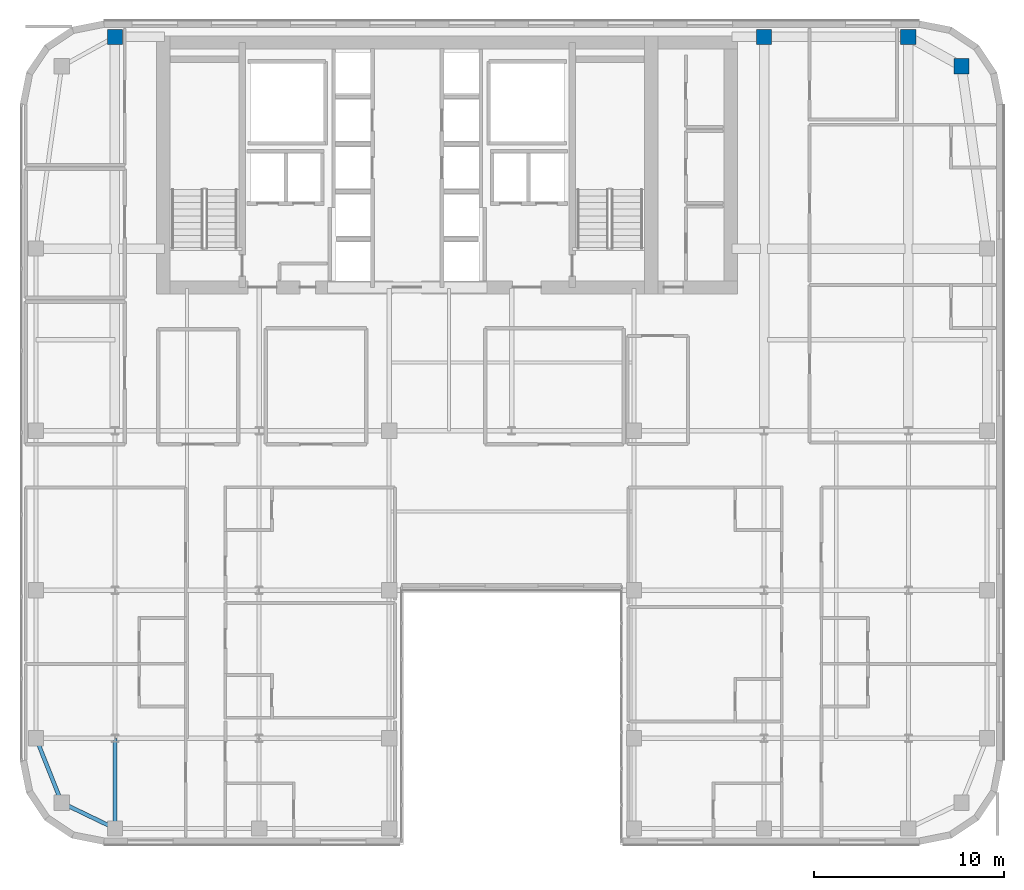
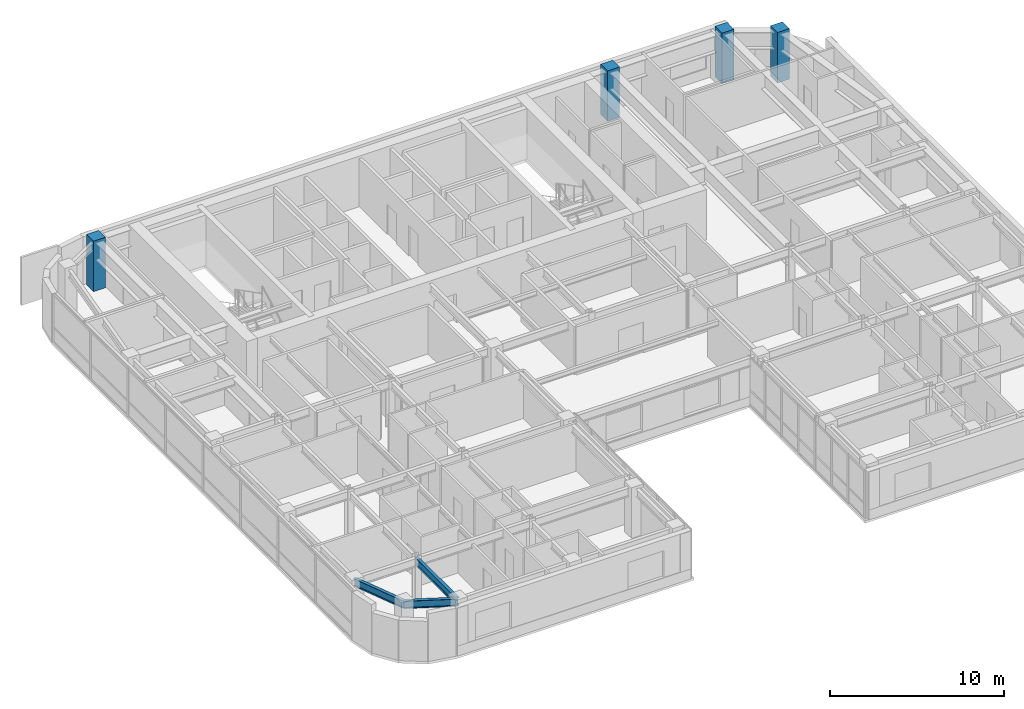
# One storey, part 2 of 28: 4 columns, 3 beams.
"""IFC4 building model written with IfcOpenShell, lengths in metres."""

import ifcopenshell
import ifcopenshell.guid

model = None  # the IFC model being written
_history = None  # IfcOwnerHistory: only IFC2X3 demands one
_inside = {}  # id of a spatial element -> (the spatial element, [elements in it])
_under = {}  # id of a project, library or spatial element -> (it, [spatial elements below it])
_declared = {}  # id of a project -> (the project, [libraries it declares])
_typed = {}  # id of a type object -> (the type object, [elements of that type])
_made_of = {}  # id of a material, layer set ... -> (it, [elements and type objects made of it])


def new_model(schema):
    """Start an empty IFC model of exactly this schema.

    Asked for "IFC4X3", IfcOpenShell would pick the latest addendum, in which some entities
    have other attributes; the version numbers below select the first issue.
    IFC2X3 requires an IfcOwnerHistory on every rooted entity: one is made here for all.
    """
    global model, _history
    if schema == "IFC4X3":
        model = ifcopenshell.file(schema_version=(4, 3, 0, 0))
    else:
        model = ifcopenshell.file(schema=schema)
    _inside.clear()
    _under.clear()
    _declared.clear()
    _typed.clear()
    _made_of.clear()
    _history = None
    if model.schema == "IFC2X3":
        org = make("IfcOrganization", Name="unknown")
        user = make(
            "IfcPersonAndOrganization",
            ThePerson=make("IfcPerson", FamilyName="unknown"),
            TheOrganization=org,
        )
        app = make(
            "IfcApplication",
            ApplicationDeveloper=org,
            Version="unknown",
            ApplicationFullName="unknown",
            ApplicationIdentifier="unknown",
        )
        _history = make(
            "IfcOwnerHistory",
            OwningUser=user,
            OwningApplication=app,
            ChangeAction="ADDED",
            CreationDate=0,
        )
    return model


def make(cls, **values):
    """One entity of the class cls with the attributes given. An attribute that is None is left unset."""
    return model.create_entity(
        cls, **{name: value for name, value in values.items() if value is not None}
    )


def rooted(cls, **values):
    """An entity with a GlobalId (a new one), such as an element, a storey or a relation."""
    return make(cls, GlobalId=ifcopenshell.guid.new(), OwnerHistory=_history, **values)


def si_unit(unit_type, name, prefix=None):
    """IfcSIUnit, for example si_unit("LENGTHUNIT", "METRE", prefix="MILLI")."""
    return make("IfcSIUnit", UnitType=unit_type, Prefix=prefix, Name=name)


def assignment(units):
    """IfcUnitAssignment: the units of a project."""
    return None if units is None else make("IfcUnitAssignment", Units=units)


def point(xyz):
    """IfcCartesianPoint."""
    return None if xyz is None else make("IfcCartesianPoint", Coordinates=xyz)


def direction(xyz):
    """IfcDirection."""
    return None if xyz is None else make("IfcDirection", DirectionRatios=xyz)


def frame(location, z_axis=None, x_axis=None):
    """IfcAxis2Placement3D, a coordinate frame: its origin and axes. An axis left out is left unset."""
    return make(
        "IfcAxis2Placement3D",
        Location=point(location),
        Axis=direction(z_axis),
        RefDirection=direction(x_axis),
    )


def frame_2d(location, x_axis=None):
    """IfcAxis2Placement2D, a coordinate frame in the plane: its origin and x axis."""
    return make(
        "IfcAxis2Placement2D", Location=point(location), RefDirection=direction(x_axis)
    )


def origin():
    """The frame at (0, 0, 0) with its axes left unset."""
    return frame((0.0, 0.0, 0.0))


def origin_2d():
    """The frame at (0, 0) in the plane with its x axis left unset."""
    return frame_2d((0.0, 0.0))


def place(relative_to, where):
    """IfcLocalPlacement: puts the frame where relative to a parent placement (None: the world)."""
    return make(
        "IfcLocalPlacement", PlacementRelTo=relative_to, RelativePlacement=where
    )


def context(
    kind, dimensions, precision=None, world=None, true_north=None, identifier=None
):
    """IfcGeometricRepresentationContext, for example the 3D "Model" context."""
    return make(
        "IfcGeometricRepresentationContext",
        ContextIdentifier=identifier,
        ContextType=kind,
        CoordinateSpaceDimension=dimensions,
        Precision=precision,
        WorldCoordinateSystem=world,
        TrueNorth=true_north,
    )


def subcontext(parent, identifier, kind, view, scale=None):
    """IfcGeometricRepresentationSubContext, for example "Body" below "Model"."""
    return make(
        "IfcGeometricRepresentationSubContext",
        ContextIdentifier=identifier,
        ContextType=kind,
        ParentContext=parent,
        TargetScale=scale,
        TargetView=view,
    )


def project(units=None, contexts=None):
    """IfcProject with its units and contexts."""
    return rooted(
        "IfcProject",
        Name="project",
        RepresentationContexts=contexts,
        UnitsInContext=assignment(units),
    )


def spatial(cls, under=None, at=None, **own):
    """A site, building, storey or space (cls), placed at a placement, below another one or the project."""
    s = rooted(cls, ObjectPlacement=at, **own)
    if under is not None:
        _under.setdefault(under.id(), (under, []))[1].append(s)
    return s


def profile(cls, at=None, kind="AREA", **sizes):
    """A parametric profile (cls). Its sizes go by their IFC names, for example OverallWidth=200.0."""
    return make(cls, ProfileType=kind, Position=at, **sizes)


def rectangle(**sizes):
    """IfcRectangleProfileDef."""
    return profile("IfcRectangleProfileDef", **sizes)


def i_section(**sizes):
    """IfcIShapeProfileDef."""
    return profile("IfcIShapeProfileDef", **sizes)


def extrude(swept, where, along, depth):
    """IfcExtrudedAreaSolid: the profile swept, set in the frame where, extruded along a direction by depth."""
    return make(
        "IfcExtrudedAreaSolid",
        SweptArea=swept,
        Position=where,
        ExtrudedDirection=direction(along),
        Depth=depth,
    )


def shape(context_of_items, identifier, shape_type, items):
    """IfcShapeRepresentation: the items that make up one representation, for example the "Body"."""
    return make(
        "IfcShapeRepresentation",
        ContextOfItems=context_of_items,
        RepresentationIdentifier=identifier,
        RepresentationType=shape_type,
        Items=items,
    )


def source(mapping_origin, context_of_items, identifier, shape_type, items):
    """IfcRepresentationMap: a shape defined once, which mapped items show again and again."""
    return make(
        "IfcRepresentationMap",
        MappingOrigin=mapping_origin,
        MappedRepresentation=shape(context_of_items, identifier, shape_type, items),
    )


def transform(
    local_origin,
    x_axis=None,
    y_axis=None,
    z_axis=None,
    scale=None,
    scale2=None,
    scale3=None,
    uniform=True,
):
    """IfcCartesianTransformationOperator3D, or its non-uniform kind. x_axis, y_axis, z_axis: its Axis1, 2, 3."""
    if uniform:
        return make(
            "IfcCartesianTransformationOperator3D",
            Axis1=direction(x_axis),
            Axis2=direction(y_axis),
            LocalOrigin=point(local_origin),
            Scale=scale,
            Axis3=direction(z_axis),
        )
    return make(
        "IfcCartesianTransformationOperator3DnonUniform",
        Axis1=direction(x_axis),
        Axis2=direction(y_axis),
        LocalOrigin=point(local_origin),
        Scale=scale,
        Axis3=direction(z_axis),
        Scale2=scale2,
        Scale3=scale3,
    )


def mapped(mapping_source, mapping_target):
    """IfcMappedItem: shows the shape of a source again, moved by a transform."""
    return make(
        "IfcMappedItem", MappingSource=mapping_source, MappingTarget=mapping_target
    )


def material(Name=None, Category=None):
    """IfcMaterial."""
    return make("IfcMaterial", Name=Name, Category=Category)


def material_profile(
    of_material, cross_section, Name=None, Category=None, Priority=None
):
    """IfcMaterialProfile: a cross section and its material."""
    return make(
        "IfcMaterialProfile",
        Name=Name,
        Material=of_material,
        Profile=cross_section,
        Priority=Priority,
        Category=Category,
    )


def profile_set(profiles, Name=None, composite=None):
    """IfcMaterialProfileSet."""
    return make(
        "IfcMaterialProfileSet",
        Name=Name,
        MaterialProfiles=profiles,
        CompositeProfile=composite,
    )


def made_of(thing, what):
    """Note that an element or type object is made of a material, layer set ...; save() writes the relation."""
    if what is not None:
        _made_of.setdefault(what.id(), (what, []))[1].append(thing)
    return thing


def type_object(cls, material=None, **own):
    """A type object (cls), such as IfcWallType, which elements share."""
    return made_of(rooted(cls, **own), material)


def type_shapes(of_type, sources):
    """Give a type object the sources (RepresentationMaps) that its elements show as mapped items."""
    of_type.RepresentationMaps = sources


def element(
    cls,
    number,
    at=None,
    inside=None,
    cuts=None,
    type_object=None,
    material=None,
    context=None,
    identifier="Body",
    shape_type=None,
    held_by="IfcProductDefinitionShape",
    body=None,
    shapes=None,
    **own,
):
    """One element of the class cls, such as IfcWall. Its Tag is "e" and its number.

    at: its placement. inside: the storey or other place that contains it. cuts: it is an
    opening in that element (IfcRelVoidsElement). A single representation is given by context,
    identifier, shape_type and body (its items); several are given by shapes. held_by: the class
    of the entity that holds the representations. save() writes the other relations.
    """
    e = rooted(cls, Tag="e%d" % number, ObjectPlacement=at, **own)
    if body is not None:
        shapes = [shape(context, identifier, shape_type, body)]
    if shapes is not None:
        e.Representation = make(held_by, Representations=shapes)
    if inside is not None:
        _inside.setdefault(inside.id(), (inside, []))[1].append(e)
    if cuts is not None:
        rooted(
            "IfcRelVoidsElement", RelatingBuildingElement=cuts, RelatedOpeningElement=e
        )
    if type_object is not None:
        _typed.setdefault(type_object.id(), (type_object, []))[1].append(e)
    return made_of(e, material)


def aggregate(whole, parts):
    """IfcRelAggregates: a whole, such as a stair, and the parts it consists of."""
    return rooted("IfcRelAggregates", RelatingObject=whole, RelatedObjects=parts)


def save(model, path):
    """Write the relations noted so far, then the file.

    IfcRelAggregates (storeys below a building ...), IfcRelContainedInSpatialStructure (elements
    in a storey), IfcRelDefinesByType, IfcRelAssociatesMaterial and IfcRelDeclares: one each for
    every whole, place, type object, material and project.
    """
    for whole, parts in _under.values():
        aggregate(whole, parts)
    for where, things in _inside.values():
        rooted(
            "IfcRelContainedInSpatialStructure",
            RelatedElements=things,
            RelatingStructure=where,
        )
    for kind, things in _typed.values():
        rooted("IfcRelDefinesByType", RelatedObjects=things, RelatingType=kind)
    for what, things in _made_of.values():
        rooted("IfcRelAssociatesMaterial", RelatedObjects=things, RelatingMaterial=what)
    for by, libraries in _declared.values():
        rooted("IfcRelDeclares", RelatingContext=by, RelatedDefinitions=libraries)
    model.write(path)


model = new_model("IFC4")

# Units and contexts
model_context = context("Model", 3, precision=1e-05, world=origin(), true_north=direction((0.0, 1.0)))
body_context = subcontext(model_context, "Body", "Model", "MODEL_VIEW")
ifc_project = project(units=[si_unit("LENGTHUNIT", "METRE"), si_unit("AREAUNIT", "SQUARE_METRE"), si_unit("VOLUMEUNIT", "CUBIC_METRE"), si_unit("PLANEANGLEUNIT", "RADIAN"), si_unit("MASSUNIT", "GRAM", prefix="KILO")], contexts=[model_context])

# Site, building, storey
site_placement = place(None, origin())
site = spatial("IfcSite", under=ifc_project, at=site_placement, CompositionType="ELEMENT")
building_placement = place(site_placement, origin())
building = spatial("IfcBuilding", under=site, at=building_placement, Name="Tolvann Quenvar Hotel", CompositionType="ELEMENT")
storey_placement = place(building_placement, frame((0.0, 0.0, 198.199951171875)))
storey = spatial("IfcBuildingStorey", under=building, at=storey_placement, Name="L52", CompositionType="ELEMENT", Elevation=198.199951171875)

# Columns
ifc_material_1 = material(Name="Concrete N50 (50 MPa)", Category="concrete")
ifc_material_profile_1 = material_profile(ifc_material_1, rectangle(XDim=0.800048828125, YDim=0.800048828125, at=origin_2d()), Name="RC800x800")
ifc_profile_set_1 = profile_set([ifc_material_profile_1], Name="Concrete N50 (50 MPa)")
column_type = type_object("IfcColumnType", Name="COL_RC800", PredefinedType="COLUMN", material=ifc_profile_set_1)
shared_shape_1 = source(origin(), body_context, "Body", "SweptSolid", [
    extrude(rectangle(XDim=0.800048828125, YDim=0.800048828125, at=origin_2d()), origin(), (0.0, 0.0, 1.0), 3.550048828125),
])
type_shapes(column_type, [shared_shape_1])
for number, where, z_axis, x_axis, name in (
    (1, (7.60009765625, 45.14990234375, 0.0), (0.0, 0.0, 1.0), (1.0, 0.0, 0.0), "Column CN (L52)"),
    (2, (41.800048828125, 45.14990234375, 0.0), (0.0, 0.0, 1.0), (1.0, 0.0, 0.0), "Column HN (L52)"),
    (3, (49.39990234375, 45.14990234375, 0.0), (0.0, 0.0, 1.0), (1.0, 0.0, 0.0), "Column IN (L52)"),
    (4, (52.199951171875, 43.60009765625, 0.0), (0.0, 0.0, 1.0), (1.0, 0.0, 0.0), "Column JN (L52)"),
):
    element("IfcColumn", number, at=place(storey_placement, frame(where, z_axis=z_axis, x_axis=x_axis)), inside=storey, type_object=column_type, Name=name, PredefinedType="COLUMN", context=body_context, shape_type="MappedRepresentation", body=[
        mapped(shared_shape_1, transform((0.0, 0.0, 0.0), x_axis=(1.0, 0.0, 0.0), y_axis=(0.0, 1.0, 0.0), z_axis=(0.0, 0.0, 1.0), scale=1.0)),
    ])

# Beams
ifc_material_2 = material(Name="Steel Grade 350", Category="steel")
ifc_material_profile_2 = material_profile(ifc_material_2, i_section(OverallWidth=0.208984375, OverallDepth=0.528076171875, WebThickness=0.009521484375, FlangeThickness=0.01318359375, FilletRadius=0.013916015625, at=origin_2d()), Name="530UB82")
ifc_profile_set_2 = profile_set([ifc_material_profile_2], Name="Steel Grade 350")
beam_type_1 = type_object("IfcBeamType", Name="BM_SPAND_530UB82", PredefinedType="SPANDREL", material=ifc_profile_set_2)
shared_shape_2 = source(origin(), body_context, "Body", "SweptSolid", [
    extrude(i_section(OverallWidth=0.208984375, OverallDepth=0.528076171875, WebThickness=0.009521484375, FlangeThickness=0.01318359375, FilletRadius=0.013916015625, at=origin_2d()), origin(), (0.0, 0.0, 1.0), 3.108642578125),
])
beam_1_placement = place(storey_placement, frame((4.800048828125, 4.800048828125, 3.10595703125), z_axis=(0.900759354066, -0.434318530646, 0.0), x_axis=(0.434318530646, 0.900759354066, 0.0)))
element("IfcBeam", 5, at=beam_1_placement, inside=storey, type_object=beam_type_1, Name="BM-L52-EW-2-B2-C2", PredefinedType="SPANDREL", context=body_context, shape_type="MappedRepresentation", body=[
    mapped(shared_shape_2, transform((0.0, 0.0, 0.0), x_axis=(1.0, 0.0, 0.0), y_axis=(0.0, 1.0, 0.0), z_axis=(0.0, 0.0, 1.0), scale=1.0)),
])
shared_shape_3 = source(origin(), body_context, "Body", "SweptSolid", [
    extrude(i_section(OverallWidth=0.208984375, OverallDepth=0.528076171875, WebThickness=0.009521484375, FlangeThickness=0.01318359375, FilletRadius=0.013916015625, at=origin_2d()), origin(), (0.0, 0.0, 1.0), 3.658203125),
])
type_shapes(beam_type_1, [shared_shape_2, shared_shape_3])
beam_2_placement = place(storey_placement, frame((4.800048828125, 4.800048828125, 3.10595703125), z_axis=(-0.369065163807, 0.929403521009, 0.0), x_axis=(-0.929403521009, -0.369065163807, 0.0)))
element("IfcBeam", 6, at=beam_2_placement, inside=storey, type_object=beam_type_1, Name="BM-L52-NS-B2-B3", PredefinedType="SPANDREL", context=body_context, shape_type="MappedRepresentation", body=[
    mapped(shared_shape_3, transform((0.0, 0.0, 0.0), x_axis=(1.0, 0.0, 0.0), y_axis=(0.0, 1.0, 0.0), z_axis=(0.0, 0.0, 1.0), scale=1.0)),
])
ifc_material_profile_3 = material_profile(ifc_material_2, i_section(OverallWidth=0.208984375, OverallDepth=0.532958984375, WebThickness=0.01025390625, FlangeThickness=0.015625, FilletRadius=0.013916015625, at=origin_2d()), Name="530UB92")
ifc_profile_set_3 = profile_set([ifc_material_profile_3], Name="Steel Grade 350")
beam_type_2 = type_object("IfcBeamType", Name="BM_GIRD_530UB92", PredefinedType="BEAM", material=ifc_profile_set_3)
shared_shape_4 = source(origin(), body_context, "Body", "SweptSolid", [
    extrude(i_section(OverallWidth=0.208984375, OverallDepth=0.532958984375, WebThickness=0.01025390625, FlangeThickness=0.015625, FilletRadius=0.013916015625, at=origin_2d()), origin(), (0.0, 0.0, 1.0), 4.75),
])
type_shapes(beam_type_2, [shared_shape_4])
beam_3_placement = place(storey_placement, frame((7.60009765625, 3.449951171875, 3.103515625), z_axis=(0.0, 1.0, 0.0), x_axis=(-1.0, 0.0, 0.0)))
element("IfcBeam", 7, at=beam_3_placement, inside=storey, type_object=beam_type_2, Name="BM-L52-NS-C2-C3", PredefinedType="BEAM", context=body_context, shape_type="MappedRepresentation", body=[
    mapped(shared_shape_4, transform((0.0, 0.0, 0.0), x_axis=(1.0, 0.0, 0.0), y_axis=(0.0, 1.0, 0.0), z_axis=(0.0, 0.0, 1.0), scale=1.0)),
])

save(model, "model.ifc")
